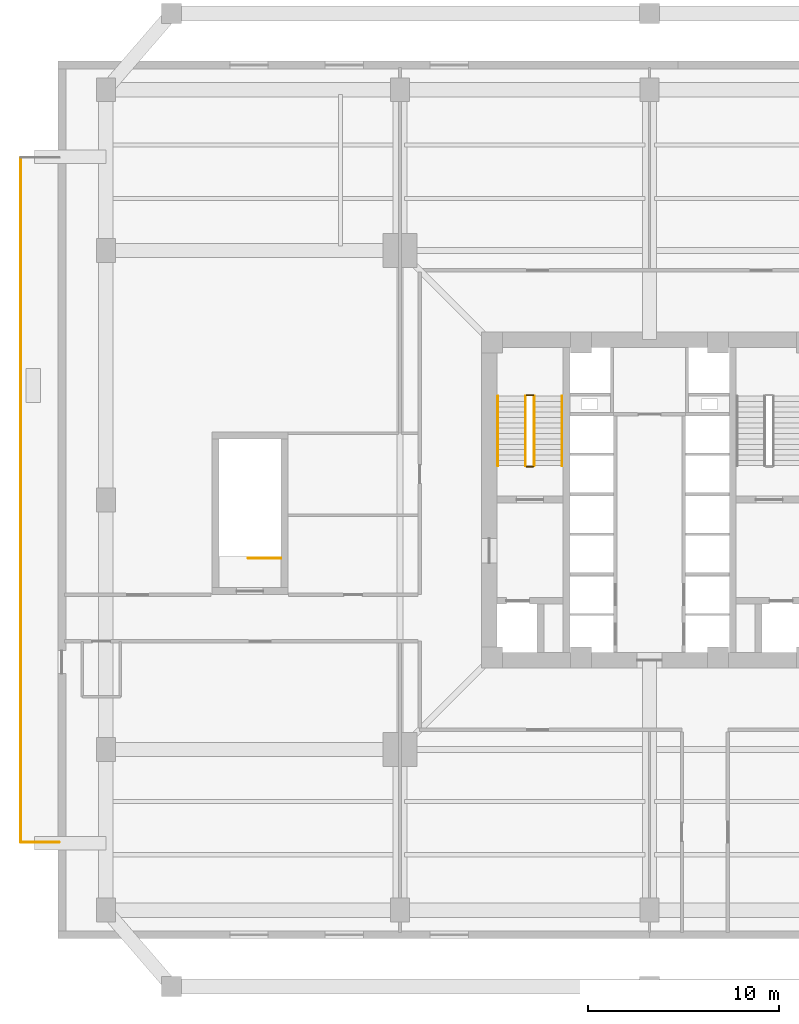
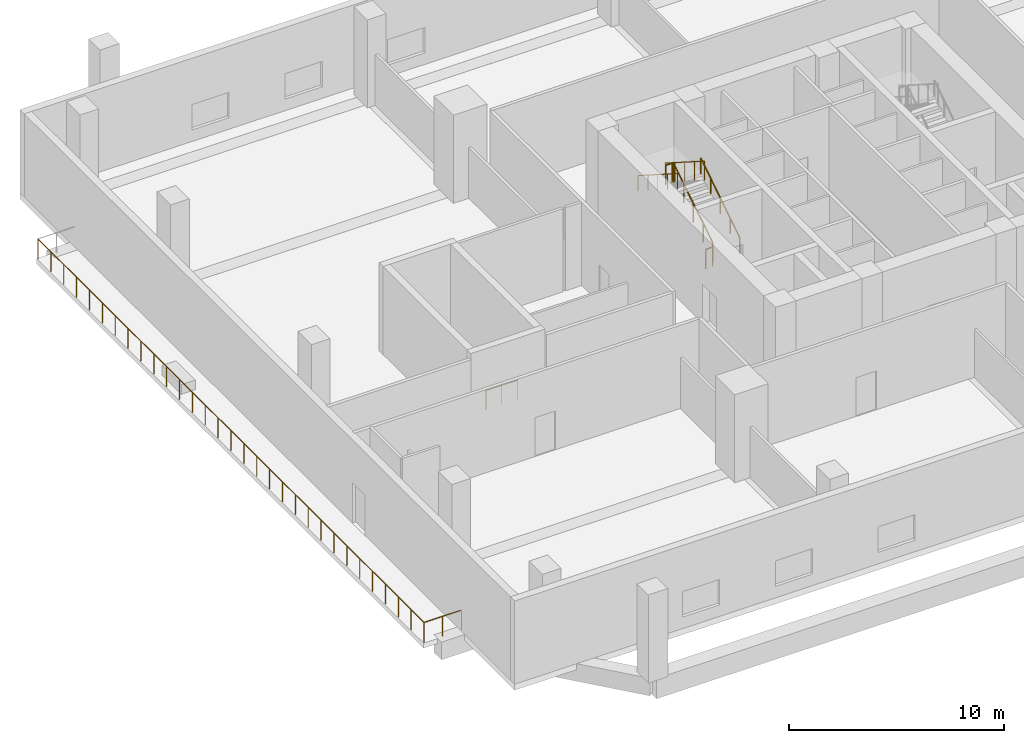
# One storey, part 6 of 8: 9 railings.
"""IFC4 building model written with IfcOpenShell, lengths in metres."""

from ifc_helpers import new_model, si_unit, direction, frame, origin, origin_2d, place, context, subcontext, project, spatial, circle, extrude, source, transform, mapped, material, type_object, element, save


model = new_model("IFC4")

# Units and contexts
model_context = context("Model", 3, precision=1e-05, world=origin(), true_north=direction((0.0, 1.0)))
body_context = subcontext(model_context, "Body", "Model", "MODEL_VIEW")
ifc_project = project(units=[si_unit("LENGTHUNIT", "METRE"), si_unit("AREAUNIT", "SQUARE_METRE"), si_unit("VOLUMEUNIT", "CUBIC_METRE"), si_unit("PLANEANGLEUNIT", "RADIAN"), si_unit("MASSUNIT", "GRAM", prefix="KILO"), si_unit("THERMODYNAMICTEMPERATUREUNIT", "KELVIN")], contexts=[model_context])

# Site, building, storey
site_placement = place(None, origin())
site = spatial("IfcSite", under=ifc_project, at=site_placement, CompositionType="ELEMENT")
building_placement = place(site_placement, origin())
building = spatial("IfcBuilding", under=site, at=building_placement, Name="Kosmvard Interchange Tower", CompositionType="ELEMENT")
storey_placement = place(building_placement, frame((0.0, 0.0, 21.0)))
storey = spatial("IfcBuildingStorey", under=building, at=storey_placement, Name="L04", CompositionType="ELEMENT", Elevation=21.0)

# Railings
ifc_material = material(Name="Steel S355", Category="steel")
railing_type_1 = type_object("IfcRailingType", Name="Observation & Balcony Glass-Infill Balustrade 1150", PredefinedType="BALUSTRADE", material=ifc_material)
shared_shape_1 = source(origin(), body_context, "Body", "SweptSolid", [
    extrude(circle(Radius=0.02392578125, at=origin_2d()), frame((0.0, 0.0, 1.1259765625), z_axis=(-1.0, 0.0, 0.0), x_axis=(0.0, -1.0, 0.0)), (0.0, 0.0, 1.0), 2.0),
    extrude(circle(Radius=0.02099609375, at=origin_2d()), origin(), (0.0, 0.0, 1.0), 1.101806640625),
    extrude(circle(Radius=0.02099609375, at=origin_2d()), frame((-1.0, 0.0, 0.0)), (0.0, 0.0, 1.0), 1.101806640625),
    extrude(circle(Radius=0.02099609375, at=origin_2d()), frame((-2.0, 0.0, 0.0)), (0.0, 0.0, 1.0), 1.101806640625),
])
railing_1_placement = place(storey_placement, frame((-30.949951171875, -17.949951171875, 0.0)))
element("IfcRailing", 1, at=railing_1_placement, inside=storey, type_object=railing_type_1, Name="L04 Outdoor Terrace Guard TER-L04-W-A", PredefinedType="BALUSTRADE", context=body_context, shape_type="MappedRepresentation", body=[
    mapped(shared_shape_1, transform((0.0, 0.0, 0.0), scale=1.0)),
])
shared_shape_2 = source(origin(), body_context, "Body", "SweptSolid", [
    extrude(circle(Radius=0.02392578125, at=origin_2d()), frame((0.0, 0.0, 1.1259765625), z_axis=(0.0, 1.0, 0.0), x_axis=(-1.0, 0.0, 0.0)), (0.0, 0.0, 1.0), 35.89990234375),
    extrude(circle(Radius=0.02099609375, at=origin_2d()), origin(), (0.0, 0.0, 1.0), 1.101806640625),
    extrude(circle(Radius=0.02099609375, at=origin_2d()), frame((0.0, 1.19677734375, 0.0)), (0.0, 0.0, 1.0), 1.101806640625),
    extrude(circle(Radius=0.02099609375, at=origin_2d()), frame((0.0, 2.393310546875, 0.0)), (0.0, 0.0, 1.0), 1.101806640625),
    extrude(circle(Radius=0.02099609375, at=origin_2d()), frame((0.0, 3.590087890625, 0.0)), (0.0, 0.0, 1.0), 1.101806640625),
    extrude(circle(Radius=0.02099609375, at=origin_2d()), frame((0.0, 4.78662109375, 0.0)), (0.0, 0.0, 1.0), 1.101806640625),
    extrude(circle(Radius=0.02099609375, at=origin_2d()), frame((0.0, 5.9833984375, 0.0)), (0.0, 0.0, 1.0), 1.101806640625),
    extrude(circle(Radius=0.02099609375, at=origin_2d()), frame((0.0, 7.179931640625, 0.0)), (0.0, 0.0, 1.0), 1.101806640625),
    extrude(circle(Radius=0.02099609375, at=origin_2d()), frame((0.0, 8.376708984375, 0.0)), (0.0, 0.0, 1.0), 1.101806640625),
    extrude(circle(Radius=0.02099609375, at=origin_2d()), frame((0.0, 9.5732421875, 0.0)), (0.0, 0.0, 1.0), 1.101806640625),
    extrude(circle(Radius=0.02099609375, at=origin_2d()), frame((0.0, 10.77001953125, 0.0)), (0.0, 0.0, 1.0), 1.101806640625),
    extrude(circle(Radius=0.02099609375, at=origin_2d()), frame((0.0, 11.966552734375, 0.0)), (0.0, 0.0, 1.0), 1.101806640625),
    extrude(circle(Radius=0.02099609375, at=origin_2d()), frame((0.0, 13.163330078125, 0.0)), (0.0, 0.0, 1.0), 1.101806640625),
    extrude(circle(Radius=0.02099609375, at=origin_2d()), frame((0.0, 14.35986328125, 0.0)), (0.0, 0.0, 1.0), 1.101806640625),
    extrude(circle(Radius=0.02099609375, at=origin_2d()), frame((0.0, 15.556640625, 0.0)), (0.0, 0.0, 1.0), 1.101806640625),
    extrude(circle(Radius=0.02099609375, at=origin_2d()), frame((0.0, 16.753173828125, 0.0)), (0.0, 0.0, 1.0), 1.101806640625),
    extrude(circle(Radius=0.02099609375, at=origin_2d()), frame((0.0, 17.949951171875, 0.0)), (0.0, 0.0, 1.0), 1.101806640625),
    extrude(circle(Radius=0.02099609375, at=origin_2d()), frame((0.0, 19.146728515625, 0.0)), (0.0, 0.0, 1.0), 1.101806640625),
    extrude(circle(Radius=0.02099609375, at=origin_2d()), frame((0.0, 20.34326171875, 0.0)), (0.0, 0.0, 1.0), 1.101806640625),
    extrude(circle(Radius=0.02099609375, at=origin_2d()), frame((0.0, 21.5400390625, 0.0)), (0.0, 0.0, 1.0), 1.101806640625),
    extrude(circle(Radius=0.02099609375, at=origin_2d()), frame((0.0, 22.736572265625, 0.0)), (0.0, 0.0, 1.0), 1.101806640625),
    extrude(circle(Radius=0.02099609375, at=origin_2d()), frame((0.0, 23.933349609375, 0.0)), (0.0, 0.0, 1.0), 1.101806640625),
    extrude(circle(Radius=0.02099609375, at=origin_2d()), frame((0.0, 25.1298828125, 0.0)), (0.0, 0.0, 1.0), 1.101806640625),
    extrude(circle(Radius=0.02099609375, at=origin_2d()), frame((0.0, 26.32666015625, 0.0)), (0.0, 0.0, 1.0), 1.101806640625),
    extrude(circle(Radius=0.02099609375, at=origin_2d()), frame((0.0, 27.523193359375, 0.0)), (0.0, 0.0, 1.0), 1.101806640625),
    extrude(circle(Radius=0.02099609375, at=origin_2d()), frame((0.0, 28.719970703125, 0.0)), (0.0, 0.0, 1.0), 1.101806640625),
    extrude(circle(Radius=0.02099609375, at=origin_2d()), frame((0.0, 29.91650390625, 0.0)), (0.0, 0.0, 1.0), 1.101806640625),
    extrude(circle(Radius=0.02099609375, at=origin_2d()), frame((0.0, 31.11328125, 0.0)), (0.0, 0.0, 1.0), 1.101806640625),
    extrude(circle(Radius=0.02099609375, at=origin_2d()), frame((0.0, 32.309814453125, 0.0)), (0.0, 0.0, 1.0), 1.101806640625),
    extrude(circle(Radius=0.02099609375, at=origin_2d()), frame((0.0, 33.506591796875, 0.0)), (0.0, 0.0, 1.0), 1.101806640625),
    extrude(circle(Radius=0.02099609375, at=origin_2d()), frame((0.0, 34.703125, 0.0)), (0.0, 0.0, 1.0), 1.101806640625),
    extrude(circle(Radius=0.02099609375, at=origin_2d()), frame((0.0, 35.89990234375, 0.0)), (0.0, 0.0, 1.0), 1.101806640625),
])
railing_2_placement = place(storey_placement, frame((-32.949951171875, -17.949951171875, 0.0)))
element("IfcRailing", 2, at=railing_2_placement, inside=storey, type_object=railing_type_1, Name="L04 Outdoor Terrace Guard TER-L04-W-B", PredefinedType="BALUSTRADE", context=body_context, shape_type="MappedRepresentation", body=[
    mapped(shared_shape_2, transform((0.0, 0.0, 0.0), scale=1.0)),
])
railing_type_2 = type_object("IfcRailingType", Name="Stair & Terrace Safety Guardrail 1100 Steel", PredefinedType="GUARDRAIL", material=ifc_material)
shared_shape_3 = source(origin(), body_context, "Body", "SweptSolid", [
    extrude(circle(Radius=0.02392578125, at=origin_2d()), frame((0.0, 0.0, 1.076171875), z_axis=(-1.0, 0.0, 0.0), x_axis=(0.0, -1.0, 0.0)), (0.0, 0.0, 1.0), 0.35986328125),
    extrude(circle(Radius=0.02099609375, at=origin_2d()), origin(), (0.0, 0.0, 1.0), 1.052001953125),
    extrude(circle(Radius=0.02099609375, at=origin_2d()), frame((-0.35986328125, 0.0, 0.0)), (0.0, 0.0, 1.0), 1.052001953125),
])
for number, where, name in (
    (3, (-6.090087890625, 5.489990234375, 2.5), "L04 ST-1 stair guard 2"),
    (4, (-6.090087890625, 1.75, 0.0), "L04 ST-1 stair guard 4"),
):
    element("IfcRailing", number, at=place(storey_placement, frame(where)), inside=storey, type_object=railing_type_2, Name=name, PredefinedType="GUARDRAIL", context=body_context, shape_type="MappedRepresentation", body=[
        mapped(shared_shape_3, transform((0.0, 0.0, 0.0), scale=1.0)),
    ])
shared_shape_4 = source(origin(), body_context, "Body", "SweptSolid", [
    extrude(circle(Radius=0.02392578125, at=origin_2d()), frame((0.0, 0.0, 1.076171875), z_axis=(0.0, 0.843111507901, 0.53773877045), x_axis=(-1.0, 0.0, 0.0)), (0.0, 0.0, 1.0), 4.317138671875),
    extrude(circle(Radius=0.02099609375, at=origin_2d()), origin(), (0.0, 0.0, 1.0), 1.052001953125),
    extrude(circle(Radius=0.02099609375, at=origin_2d()), frame((0.0, 0.909912109375, 0.580322265625)), (0.0, 0.0, 1.0), 1.052001953125),
    extrude(circle(Radius=0.02099609375, at=origin_2d()), frame((0.0, 1.81982421875, 1.16064453125)), (0.0, 0.0, 1.0), 1.052001953125),
    extrude(circle(Radius=0.02099609375, at=origin_2d()), frame((0.0, 2.72998046875, 1.7412109375)), (0.0, 0.0, 1.0), 1.052001953125),
    extrude(circle(Radius=0.02099609375, at=origin_2d()), frame((0.0, 3.639892578125, 2.321533203125)), (0.0, 0.0, 1.0), 1.052001953125),
])
railing_3_placement = place(storey_placement, frame((-6.0400390625, 1.800048828125, 0.178466796875)))
element("IfcRailing", 5, at=railing_3_placement, inside=storey, type_object=railing_type_2, Name="L04 ST-1 stair guard 1", PredefinedType="GUARDRAIL", context=body_context, shape_type="MappedRepresentation", body=[
    mapped(shared_shape_4, transform((0.0, 0.0, 0.0), scale=1.0)),
])
shared_shape_5 = source(origin(), body_context, "Body", "SweptSolid", [
    extrude(circle(Radius=0.02392578125, at=origin_2d()), frame((0.0, 0.0, 1.076171875), z_axis=(0.0, -0.843111507901, 0.53773877045), x_axis=(1.0, 0.0, 0.0)), (0.0, 0.0, 1.0), 4.317138671875),
    extrude(circle(Radius=0.02099609375, at=origin_2d()), origin(), (0.0, 0.0, 1.0), 1.052001953125),
    extrude(circle(Radius=0.02099609375, at=origin_2d()), frame((0.0, -0.909912109375, 0.580322265625)), (0.0, 0.0, 1.0), 1.052001953125),
    extrude(circle(Radius=0.02099609375, at=origin_2d()), frame((0.0, -1.81982421875, 1.16064453125)), (0.0, 0.0, 1.0), 1.052001953125),
    extrude(circle(Radius=0.02099609375, at=origin_2d()), frame((0.0, -2.72998046875, 1.7412109375)), (0.0, 0.0, 1.0), 1.052001953125),
    extrude(circle(Radius=0.02099609375, at=origin_2d()), frame((0.0, -3.639892578125, 2.321533203125)), (0.0, 0.0, 1.0), 1.052001953125),
])
railing_4_placement = place(storey_placement, frame((-6.5, 5.43994140625, 2.678466796875)))
element("IfcRailing", 6, at=railing_4_placement, inside=storey, type_object=railing_type_2, Name="L04 ST-1 stair guard 3", PredefinedType="GUARDRAIL", context=body_context, shape_type="MappedRepresentation", body=[
    mapped(shared_shape_5, transform((0.0, 0.0, 0.0), scale=1.0)),
])
railing_type_3 = type_object("IfcRailingType", Name="Wall-Mounted Stair Handrail 900 Steel", PredefinedType="HANDRAIL", material=ifc_material)
shared_shape_6 = source(origin(), body_context, "Body", "SweptSolid", [
    extrude(circle(Radius=0.02392578125, at=origin_2d()), frame((0.0, 0.0, 0.8759765625), z_axis=(0.0, 0.843111507901, 0.53773877045), x_axis=(-1.0, 0.0, 0.0)), (0.0, 0.0, 1.0), 4.317138671875),
    extrude(circle(Radius=0.02099609375, at=origin_2d()), origin(), (0.0, 0.0, 1.0), 0.851806640625),
    extrude(circle(Radius=0.02099609375, at=origin_2d()), frame((0.0, 0.909912109375, 0.580322265625)), (0.0, 0.0, 1.0), 0.851806640625),
    extrude(circle(Radius=0.02099609375, at=origin_2d()), frame((0.0, 1.81982421875, 1.16064453125)), (0.0, 0.0, 1.0), 0.851806640625),
    extrude(circle(Radius=0.02099609375, at=origin_2d()), frame((0.0, 2.72998046875, 1.7412109375)), (0.0, 0.0, 1.0), 0.851806640625),
    extrude(circle(Radius=0.02099609375, at=origin_2d()), frame((0.0, 3.639892578125, 2.321533203125)), (0.0, 0.0, 1.0), 0.851806640625),
])
railing_5_placement = place(storey_placement, frame((-4.590087890625, 1.800048828125, 0.178466796875)))
element("IfcRailing", 7, at=railing_5_placement, inside=storey, type_object=railing_type_3, Name="L04 ST-1 stair handrail 1", PredefinedType="HANDRAIL", context=body_context, shape_type="MappedRepresentation", body=[
    mapped(shared_shape_6, transform((0.0, 0.0, 0.0), scale=1.0)),
])
shared_shape_7 = source(origin(), body_context, "Body", "SweptSolid", [
    extrude(circle(Radius=0.02392578125, at=origin_2d()), frame((0.0, 0.0, 0.8759765625), z_axis=(0.0, -0.843111507901, 0.53773877045), x_axis=(1.0, 0.0, 0.0)), (0.0, 0.0, 1.0), 4.317138671875),
    extrude(circle(Radius=0.02099609375, at=origin_2d()), origin(), (0.0, 0.0, 1.0), 0.851806640625),
    extrude(circle(Radius=0.02099609375, at=origin_2d()), frame((0.0, -0.909912109375, 0.580322265625)), (0.0, 0.0, 1.0), 0.851806640625),
    extrude(circle(Radius=0.02099609375, at=origin_2d()), frame((0.0, -1.81982421875, 1.16064453125)), (0.0, 0.0, 1.0), 0.851806640625),
    extrude(circle(Radius=0.02099609375, at=origin_2d()), frame((0.0, -2.72998046875, 1.7412109375)), (0.0, 0.0, 1.0), 0.851806640625),
    extrude(circle(Radius=0.02099609375, at=origin_2d()), frame((0.0, -3.639892578125, 2.321533203125)), (0.0, 0.0, 1.0), 0.851806640625),
])
railing_6_placement = place(storey_placement, frame((-7.949951171875, 5.43994140625, 2.678466796875)))
element("IfcRailing", 8, at=railing_6_placement, inside=storey, type_object=railing_type_3, Name="L04 ST-1 stair handrail 2", PredefinedType="HANDRAIL", context=body_context, shape_type="MappedRepresentation", body=[
    mapped(shared_shape_7, transform((0.0, 0.0, 0.0), scale=1.0)),
])
shared_shape_8 = source(origin(), body_context, "Body", "SweptSolid", [
    extrude(circle(Radius=0.02392578125, at=origin_2d()), frame((0.0, 0.0, 1.076171875), z_axis=(-1.0, 0.0, 0.0), x_axis=(0.0, -1.0, 0.0)), (0.0, 0.0, 1.0), 1.7099609375),
    extrude(circle(Radius=0.02099609375, at=origin_2d()), origin(), (0.0, 0.0, 1.0), 1.052001953125),
    extrude(circle(Radius=0.02099609375, at=origin_2d()), frame((-0.85498046875, 0.0, 0.0)), (0.0, 0.0, 1.0), 1.052001953125),
    extrude(circle(Radius=0.02099609375, at=origin_2d()), frame((-1.7099609375, 0.0, 0.0)), (0.0, 0.0, 1.0), 1.052001953125),
])
railing_7_placement = place(storey_placement, frame((-19.320068359375, -3.050048828125, 0.0)))
element("IfcRailing", 9, at=railing_7_placement, inside=storey, type_object=railing_type_2, Name="L04 ST-3 top well guard 1", PredefinedType="GUARDRAIL", context=body_context, shape_type="MappedRepresentation", body=[
    mapped(shared_shape_8, transform((0.0, 0.0, 0.0), scale=1.0)),
])

save(model, "model.ifc")
